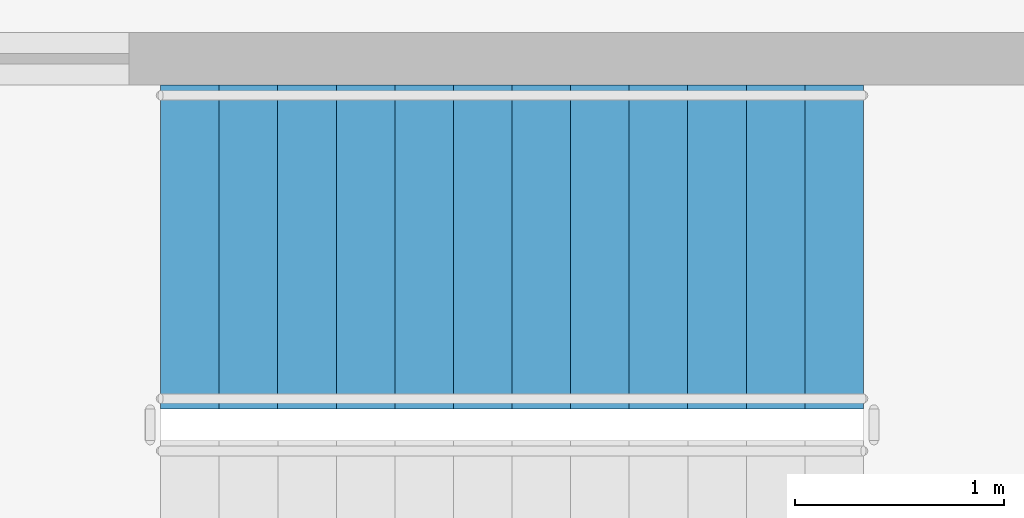
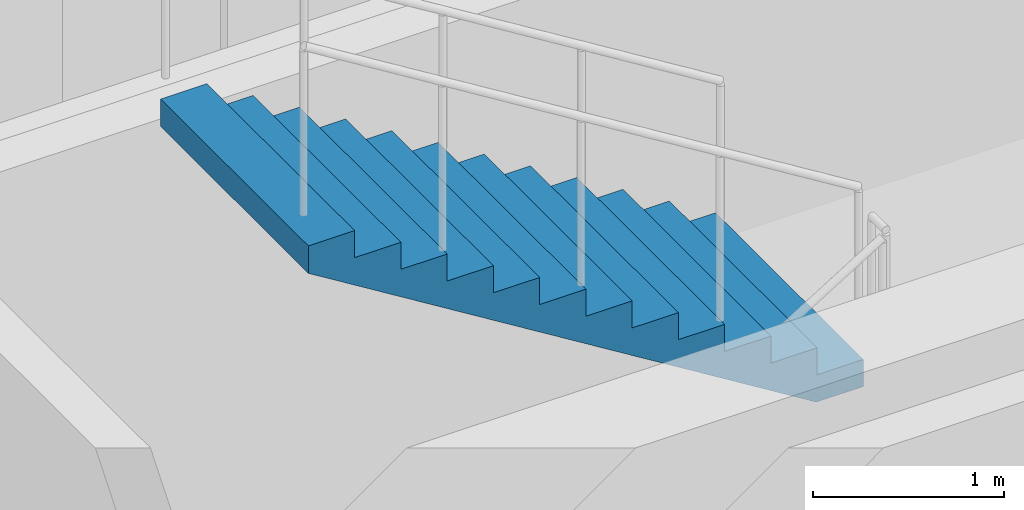
# One storey, part 19 of 25: 1 stair flight, 1 element without a shape of its own.
"""IFC4 building model written with IfcOpenShell, lengths in metres."""

import ifcopenshell
import ifcopenshell.guid

model = None  # the IFC model being written
_history = None  # IfcOwnerHistory: only IFC2X3 demands one
_inside = {}  # id of a spatial element -> (the spatial element, [elements in it])
_under = {}  # id of a project, library or spatial element -> (it, [spatial elements below it])
_declared = {}  # id of a project -> (the project, [libraries it declares])
_typed = {}  # id of a type object -> (the type object, [elements of that type])
_made_of = {}  # id of a material, layer set ... -> (it, [elements and type objects made of it])


def new_model(schema):
    """Start an empty IFC model of exactly this schema.

    Asked for "IFC4X3", IfcOpenShell would pick the latest addendum, in which some entities
    have other attributes; the version numbers below select the first issue.
    IFC2X3 requires an IfcOwnerHistory on every rooted entity: one is made here for all.
    """
    global model, _history
    if schema == "IFC4X3":
        model = ifcopenshell.file(schema_version=(4, 3, 0, 0))
    else:
        model = ifcopenshell.file(schema=schema)
    _inside.clear()
    _under.clear()
    _declared.clear()
    _typed.clear()
    _made_of.clear()
    _history = None
    if model.schema == "IFC2X3":
        org = make("IfcOrganization", Name="unknown")
        user = make(
            "IfcPersonAndOrganization",
            ThePerson=make("IfcPerson", FamilyName="unknown"),
            TheOrganization=org,
        )
        app = make(
            "IfcApplication",
            ApplicationDeveloper=org,
            Version="unknown",
            ApplicationFullName="unknown",
            ApplicationIdentifier="unknown",
        )
        _history = make(
            "IfcOwnerHistory",
            OwningUser=user,
            OwningApplication=app,
            ChangeAction="ADDED",
            CreationDate=0,
        )
    return model


def make(cls, **values):
    """One entity of the class cls with the attributes given. An attribute that is None is left unset."""
    return model.create_entity(
        cls, **{name: value for name, value in values.items() if value is not None}
    )


def rooted(cls, **values):
    """An entity with a GlobalId (a new one), such as an element, a storey or a relation."""
    return make(cls, GlobalId=ifcopenshell.guid.new(), OwnerHistory=_history, **values)


def si_unit(unit_type, name, prefix=None):
    """IfcSIUnit, for example si_unit("LENGTHUNIT", "METRE", prefix="MILLI")."""
    return make("IfcSIUnit", UnitType=unit_type, Prefix=prefix, Name=name)


def assignment(units):
    """IfcUnitAssignment: the units of a project."""
    return None if units is None else make("IfcUnitAssignment", Units=units)


def point(xyz):
    """IfcCartesianPoint."""
    return None if xyz is None else make("IfcCartesianPoint", Coordinates=xyz)


def direction(xyz):
    """IfcDirection."""
    return None if xyz is None else make("IfcDirection", DirectionRatios=xyz)


def frame(location, z_axis=None, x_axis=None):
    """IfcAxis2Placement3D, a coordinate frame: its origin and axes. An axis left out is left unset."""
    return make(
        "IfcAxis2Placement3D",
        Location=point(location),
        Axis=direction(z_axis),
        RefDirection=direction(x_axis),
    )


def origin():
    """The frame at (0, 0, 0) with its axes left unset."""
    return frame((0.0, 0.0, 0.0))


def place(relative_to, where):
    """IfcLocalPlacement: puts the frame where relative to a parent placement (None: the world)."""
    return make(
        "IfcLocalPlacement", PlacementRelTo=relative_to, RelativePlacement=where
    )


def context(
    kind, dimensions, precision=None, world=None, true_north=None, identifier=None
):
    """IfcGeometricRepresentationContext, for example the 3D "Model" context."""
    return make(
        "IfcGeometricRepresentationContext",
        ContextIdentifier=identifier,
        ContextType=kind,
        CoordinateSpaceDimension=dimensions,
        Precision=precision,
        WorldCoordinateSystem=world,
        TrueNorth=true_north,
    )


def subcontext(parent, identifier, kind, view, scale=None):
    """IfcGeometricRepresentationSubContext, for example "Body" below "Model"."""
    return make(
        "IfcGeometricRepresentationSubContext",
        ContextIdentifier=identifier,
        ContextType=kind,
        ParentContext=parent,
        TargetScale=scale,
        TargetView=view,
    )


def project(units=None, contexts=None):
    """IfcProject with its units and contexts."""
    return rooted(
        "IfcProject",
        Name="project",
        RepresentationContexts=contexts,
        UnitsInContext=assignment(units),
    )


def spatial(cls, under=None, at=None, **own):
    """A site, building, storey or space (cls), placed at a placement, below another one or the project."""
    s = rooted(cls, ObjectPlacement=at, **own)
    if under is not None:
        _under.setdefault(under.id(), (under, []))[1].append(s)
    return s


def polyline(points):
    """IfcPolyline through the points."""
    return make("IfcPolyline", Points=[point(p) for p in points])


def outline(outer, holes=None, kind="AREA"):
    """IfcArbitraryClosedProfileDef: a profile drawn as a closed curve; with holes, ...WithVoids."""
    if holes is None:
        return make("IfcArbitraryClosedProfileDef", ProfileType=kind, OuterCurve=outer)
    return make(
        "IfcArbitraryProfileDefWithVoids",
        ProfileType=kind,
        OuterCurve=outer,
        InnerCurves=holes,
    )


def extrude(swept, where, along, depth):
    """IfcExtrudedAreaSolid: the profile swept, set in the frame where, extruded along a direction by depth."""
    return make(
        "IfcExtrudedAreaSolid",
        SweptArea=swept,
        Position=where,
        ExtrudedDirection=direction(along),
        Depth=depth,
    )


def shape(context_of_items, identifier, shape_type, items):
    """IfcShapeRepresentation: the items that make up one representation, for example the "Body"."""
    return make(
        "IfcShapeRepresentation",
        ContextOfItems=context_of_items,
        RepresentationIdentifier=identifier,
        RepresentationType=shape_type,
        Items=items,
    )


def material(Name=None, Category=None):
    """IfcMaterial."""
    return make("IfcMaterial", Name=Name, Category=Category)


def made_of(thing, what):
    """Note that an element or type object is made of a material, layer set ...; save() writes the relation."""
    if what is not None:
        _made_of.setdefault(what.id(), (what, []))[1].append(thing)
    return thing


def type_object(cls, material=None, **own):
    """A type object (cls), such as IfcWallType, which elements share."""
    return made_of(rooted(cls, **own), material)


def element(
    cls,
    number,
    at=None,
    inside=None,
    cuts=None,
    type_object=None,
    material=None,
    context=None,
    identifier="Body",
    shape_type=None,
    held_by="IfcProductDefinitionShape",
    body=None,
    shapes=None,
    **own,
):
    """One element of the class cls, such as IfcWall. Its Tag is "e" and its number.

    at: its placement. inside: the storey or other place that contains it. cuts: it is an
    opening in that element (IfcRelVoidsElement). A single representation is given by context,
    identifier, shape_type and body (its items); several are given by shapes. held_by: the class
    of the entity that holds the representations. save() writes the other relations.
    """
    e = rooted(cls, Tag="e%d" % number, ObjectPlacement=at, **own)
    if body is not None:
        shapes = [shape(context, identifier, shape_type, body)]
    if shapes is not None:
        e.Representation = make(held_by, Representations=shapes)
    if inside is not None:
        _inside.setdefault(inside.id(), (inside, []))[1].append(e)
    if cuts is not None:
        rooted(
            "IfcRelVoidsElement", RelatingBuildingElement=cuts, RelatedOpeningElement=e
        )
    if type_object is not None:
        _typed.setdefault(type_object.id(), (type_object, []))[1].append(e)
    return made_of(e, material)


def aggregate(whole, parts):
    """IfcRelAggregates: a whole, such as a stair, and the parts it consists of."""
    return rooted("IfcRelAggregates", RelatingObject=whole, RelatedObjects=parts)


def save(model, path):
    """Write the relations noted so far, then the file.

    IfcRelAggregates (storeys below a building ...), IfcRelContainedInSpatialStructure (elements
    in a storey), IfcRelDefinesByType, IfcRelAssociatesMaterial and IfcRelDeclares: one each for
    every whole, place, type object, material and project.
    """
    for whole, parts in _under.values():
        aggregate(whole, parts)
    for where, things in _inside.values():
        rooted(
            "IfcRelContainedInSpatialStructure",
            RelatedElements=things,
            RelatingStructure=where,
        )
    for kind, things in _typed.values():
        rooted("IfcRelDefinesByType", RelatedObjects=things, RelatingType=kind)
    for what, things in _made_of.values():
        rooted("IfcRelAssociatesMaterial", RelatedObjects=things, RelatingMaterial=what)
    for by, libraries in _declared.values():
        rooted("IfcRelDeclares", RelatingContext=by, RelatedDefinitions=libraries)
    model.write(path)


model = new_model("IFC4")

# Units and contexts
model_context = context("Model", 3, precision=1e-05, world=origin(), true_north=direction((0.0, 1.0)))
body_context = subcontext(model_context, "Body", "Model", "MODEL_VIEW")
ifc_project = project(units=[si_unit("LENGTHUNIT", "METRE"), si_unit("AREAUNIT", "SQUARE_METRE"), si_unit("VOLUMEUNIT", "CUBIC_METRE"), si_unit("PLANEANGLEUNIT", "RADIAN"), si_unit("MASSUNIT", "GRAM", prefix="KILO")], contexts=[model_context])

# Site, building, storey
site_placement = place(None, origin())
site = spatial("IfcSite", under=ifc_project, at=site_placement, CompositionType="ELEMENT")
building_placement = place(site_placement, origin())
building = spatial("IfcBuilding", under=site, at=building_placement, Name="Amberfall Residences", CompositionType="ELEMENT")
storey_placement = place(building_placement, frame((0.0, 0.0, 14.5)))
storey = spatial("IfcBuildingStorey", under=building, at=storey_placement, Name="L03", CompositionType="ELEMENT", Elevation=14.5)

# Stair, stair flight
ifc_material = material(Name="Concrete C40", Category="concrete")
stair_type = type_object("IfcStairType", Name="School stair", PredefinedType="HALF_TURN_STAIR", material=ifc_material)
stair_placement = place(storey_placement, origin())
stair = element("IfcStair", 1, at=stair_placement, inside=storey, type_object=stair_type, Name="L03 Stair SS5", PredefinedType="HALF_TURN_STAIR")
stair_flight_type = type_object("IfcStairFlightType", Name="School stair flight", PredefinedType="STRAIGHT", material=ifc_material)
stair_flight_placement = place(storey_placement, frame((96.66796875, 71.47509765625, 2.25), z_axis=(0.0, 0.0, 1.0), x_axis=(-1.0, 0.0, 0.0)))
stair_flight = element("IfcStairFlight", 2, at=stair_flight_placement, type_object=stair_flight_type, Name="SS5 flight 2", NumberOfRisers=13, NumberOfTreads=12, PredefinedType="STRAIGHT", RiserHeight=0.173076923, TreadLength=0.28, context=body_context, shape_type="SweptSolid", body=[
    extrude(outline(polyline([(0.0, 0.0), (0.0, 0.173095703125), (0.280029296875, 0.173095703125), (0.280029296875, 0.34619140625), (0.56005859375, 0.34619140625), (0.56005859375, 0.519287109375), (0.840087890625, 0.519287109375), (0.840087890625, 0.6923828125), (1.1201171875, 0.6923828125), (1.1201171875, 0.865478515625), (1.39990234375, 0.865478515625), (1.39990234375, 1.03857421875), (1.679931640625, 1.03857421875), (1.679931640625, 1.21142578125), (1.9599609375, 1.21142578125), (1.9599609375, 1.384521484375), (2.239990234375, 1.384521484375), (2.239990234375, 1.5576171875), (2.52001953125, 1.5576171875), (2.52001953125, 1.730712890625), (2.800048828125, 1.730712890625), (2.800048828125, 1.90380859375), (3.080078125, 1.90380859375), (3.080078125, 2.076904296875), (3.360107421875, 2.076904296875), (3.360107421875, 2.25), (3.360107421875, 1.900634765625), (0.28515625, 0.0), (0.0, 0.0)])), frame((0.0, 0.77490234375, 0.0), z_axis=(0.0, -1.0, 0.0), x_axis=(1.0, 0.0, 0.0)), (0.0, 0.0, 1.0), 1.550048828125),
])
aggregate(stair, [stair_flight])

save(model, "model.ifc")
